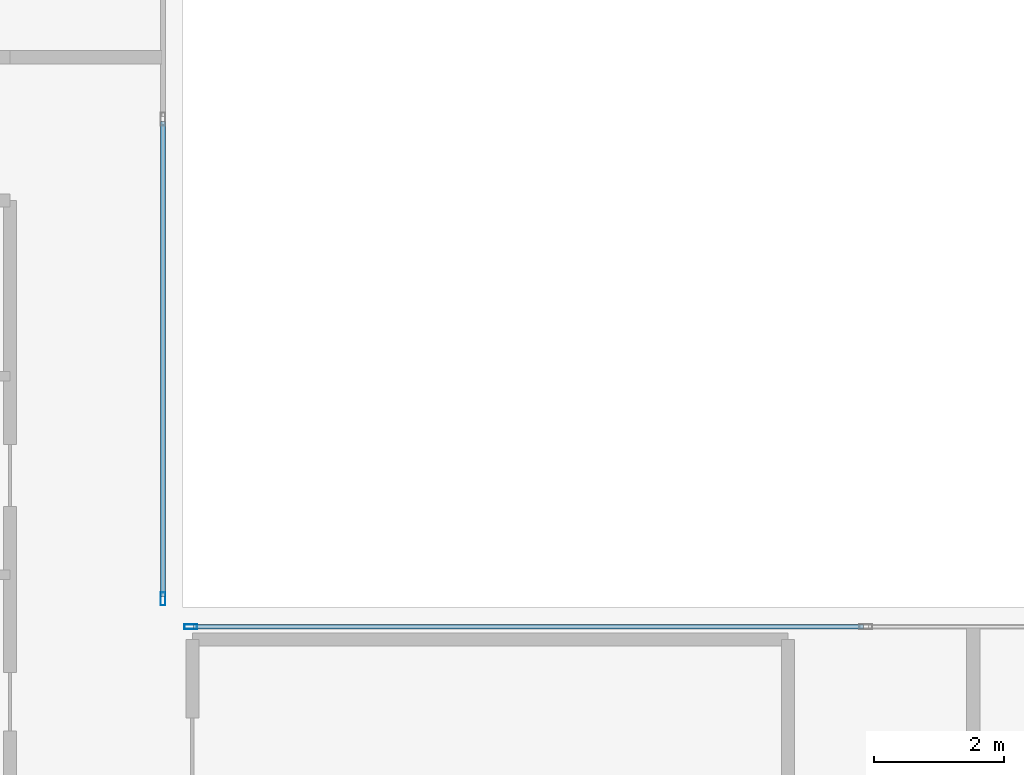
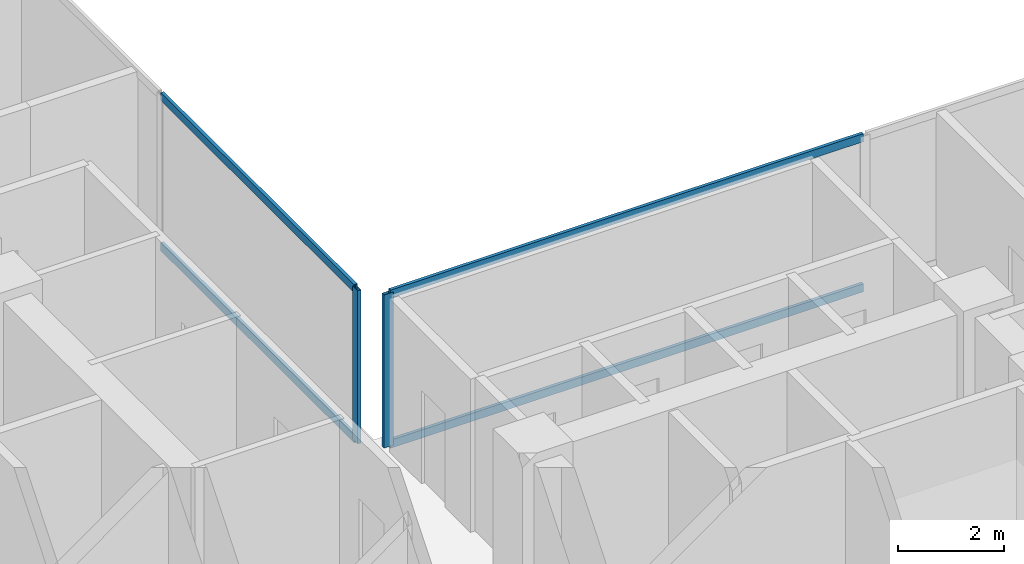
# One storey, part 9 of 28: 6 members, 2 elements without a shape of their own.
"""IFC4 building model written with IfcOpenShell, lengths in metres."""

from ifc_helpers import new_model, si_unit, direction, frame, origin, origin_2d, place, context, subcontext, project, spatial, hollow_rectangle, extrude, material, layer, layer_set, material_profile, profile_set, type_object, element, aggregate, save


model = new_model("IFC4")

# Units and contexts
model_context = context("Model", 3, precision=1e-05, world=origin(), true_north=direction((0.0, 1.0)))
body_context = subcontext(model_context, "Body", "Model", "MODEL_VIEW")
ifc_project = project(units=[si_unit("LENGTHUNIT", "METRE"), si_unit("AREAUNIT", "SQUARE_METRE"), si_unit("VOLUMEUNIT", "CUBIC_METRE"), si_unit("PLANEANGLEUNIT", "RADIAN"), si_unit("MASSUNIT", "GRAM", prefix="KILO"), si_unit("THERMODYNAMICTEMPERATUREUNIT", "KELVIN"), si_unit("POWERUNIT", "WATT")], contexts=[model_context])

# Site, building, storey
site_placement = place(None, origin())
site = spatial("IfcSite", under=ifc_project, at=site_placement, CompositionType="ELEMENT")
building_placement = place(site_placement, origin())
building = spatial("IfcBuilding", under=site, at=building_placement, Name="Svarakhadi Broadcast Tower", CompositionType="ELEMENT")
storey_placement = place(building_placement, frame((0.0, 0.0, 149.39990234375)))
storey = spatial("IfcBuildingStorey", under=building, at=storey_placement, Name="L36", CompositionType="ELEMENT", Elevation=149.39990234375)

# Curtain wall, member
ifc_material = material(Name="Anodised Bronze Aluminium AA 6063-T6", Category="aluminium")
ifc_layer = layer(ifc_material, 0.199951171875)
ifc_layer_set = layer_set([ifc_layer], Name="Anodised Bronze Aluminium AA 6063-T6")
curtain_wall_type = type_object("IfcCurtainWallType", Name="CW_Sys_03", PredefinedType="NOTDEFINED", material=ifc_layer_set)
curtain_wall_1_placement = place(storey_placement, origin())
curtain_wall_1 = element("IfcCurtainWall", 1, at=curtain_wall_1_placement, inside=storey, type_object=curtain_wall_type, Name="L36 Unitised Facade Curtain Wall 09", PredefinedType="NOTDEFINED")
ifc_material_profile_1 = material_profile(ifc_material, hollow_rectangle(XDim=0.074951171875, YDim=0.199951171875, WallThickness=0.005615234375, at=origin_2d()), Name="ALU MULLION 200x75x6")
ifc_profile_set_1 = profile_set([ifc_material_profile_1], Name="Anodised Bronze Aluminium AA 6063-T6")
member_type_1 = type_object("IfcMemberType", Name="CW_Sys_03_Mul", PredefinedType="MULLION", material=ifc_profile_set_1)
member_1_placement = place(storey_placement, frame((23.699951171875, 24.12744140625, 0.0), z_axis=(0.0, 0.0, 1.0), x_axis=(1.0, 0.0, 0.0)))
member_1 = element("IfcMember", 2, at=member_1_placement, type_object=member_type_1, Name="CW-03 mullion 3", PredefinedType="MULLION", context=body_context, shape_type="SweptSolid", body=[
    extrude(hollow_rectangle(XDim=0.074951171875, YDim=0.199951171875, WallThickness=0.005615234375, at=origin_2d()), origin(), (0.0, 0.0, 1.0), 3.525146484375),
])

curtain_wall_2_placement = place(storey_placement, origin())
curtain_wall_2 = element("IfcCurtainWall", 3, at=curtain_wall_2_placement, inside=storey, type_object=curtain_wall_type, Name="L36 Unitised Facade Curtain Wall 10", PredefinedType="NOTDEFINED")
member_2_placement = place(storey_placement, frame((24.12744140625, 23.699951171875, 0.0), z_axis=(0.0, 0.0, 1.0), x_axis=(0.0, 1.0, 0.0)))
member_2 = element("IfcMember", 4, at=member_2_placement, type_object=member_type_1, Name="CW-03 mullion 1", PredefinedType="MULLION", context=body_context, shape_type="SweptSolid", body=[
    extrude(hollow_rectangle(XDim=0.074951171875, YDim=0.199951171875, WallThickness=0.005615234375, at=origin_2d()), origin(), (0.0, 0.0, 1.0), 3.525146484375),
])

# Member
ifc_material_profile_2 = material_profile(ifc_material, hollow_rectangle(XDim=0.070068359375, YDim=0.18505859375, WallThickness=0.0048828125, at=origin_2d()), Name="ALU TRANSOM 185x70x5")
ifc_profile_set_2 = profile_set([ifc_material_profile_2], Name="Anodised Bronze Aluminium AA 6063-T6")
member_type_2 = type_object("IfcMemberType", Name="CW_Sys_03_Trn", PredefinedType="USERDEFINED", material=ifc_profile_set_2)
member_3_placement = place(storey_placement, frame((23.699951171875, 31.46240234375, 0.03515625), z_axis=(0.0, -1.0, 0.0), x_axis=(1.0, 0.0, 0.0)))
member_3 = element("IfcMember", 5, at=member_3_placement, type_object=member_type_2, Name="CW-03 transom 2.1", ObjectType="TRANSOM", PredefinedType="USERDEFINED", context=body_context, shape_type="SweptSolid", body=[
    extrude(hollow_rectangle(XDim=0.070068359375, YDim=0.18505859375, WallThickness=0.0048828125, at=origin_2d()), origin(), (0.0, 0.0, 1.0), 7.29736328125),
])

member_4_placement = place(storey_placement, frame((23.699951171875, 31.46240234375, 3.489990234375), z_axis=(0.0, -1.0, 0.0), x_axis=(1.0, 0.0, 0.0)))
member_4 = element("IfcMember", 6, at=member_4_placement, type_object=member_type_2, Name="CW-03 transom 2.2", ObjectType="TRANSOM", PredefinedType="USERDEFINED", context=body_context, shape_type="SweptSolid", body=[
    extrude(hollow_rectangle(XDim=0.070068359375, YDim=0.18505859375, WallThickness=0.0048828125, at=origin_2d()), origin(), (0.0, 0.0, 1.0), 7.29736328125),
])

aggregate(curtain_wall_1, [member_1, member_3, member_4])

member_5_placement = place(storey_placement, frame((24.1650390625, 23.699951171875, 0.03515625), z_axis=(1.0, 0.0, 0.0), x_axis=(0.0, 1.0, 0.0)))
member_5 = element("IfcMember", 7, at=member_5_placement, type_object=member_type_2, Name="CW-03 transom 1.1", ObjectType="TRANSOM", PredefinedType="USERDEFINED", context=body_context, shape_type="SweptSolid", body=[
    extrude(hollow_rectangle(XDim=0.070068359375, YDim=0.18505859375, WallThickness=0.0048828125, at=origin_2d()), origin(), (0.0, 0.0, 1.0), 10.29736328125),
])

member_6_placement = place(storey_placement, frame((24.1650390625, 23.699951171875, 3.489990234375), z_axis=(1.0, 0.0, 0.0), x_axis=(0.0, 1.0, 0.0)))
member_6 = element("IfcMember", 8, at=member_6_placement, type_object=member_type_2, Name="CW-03 transom 1.2", ObjectType="TRANSOM", PredefinedType="USERDEFINED", context=body_context, shape_type="SweptSolid", body=[
    extrude(hollow_rectangle(XDim=0.070068359375, YDim=0.18505859375, WallThickness=0.0048828125, at=origin_2d()), origin(), (0.0, 0.0, 1.0), 10.29736328125),
])

aggregate(curtain_wall_2, [member_2, member_5, member_6])

save(model, "model.ifc")
